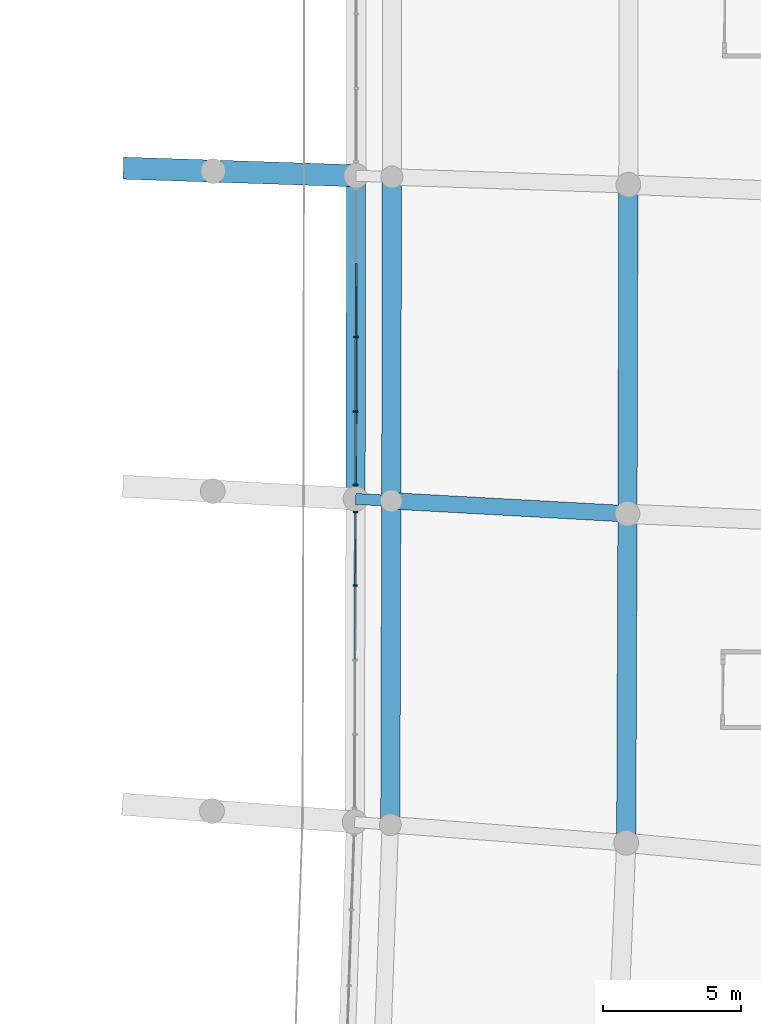
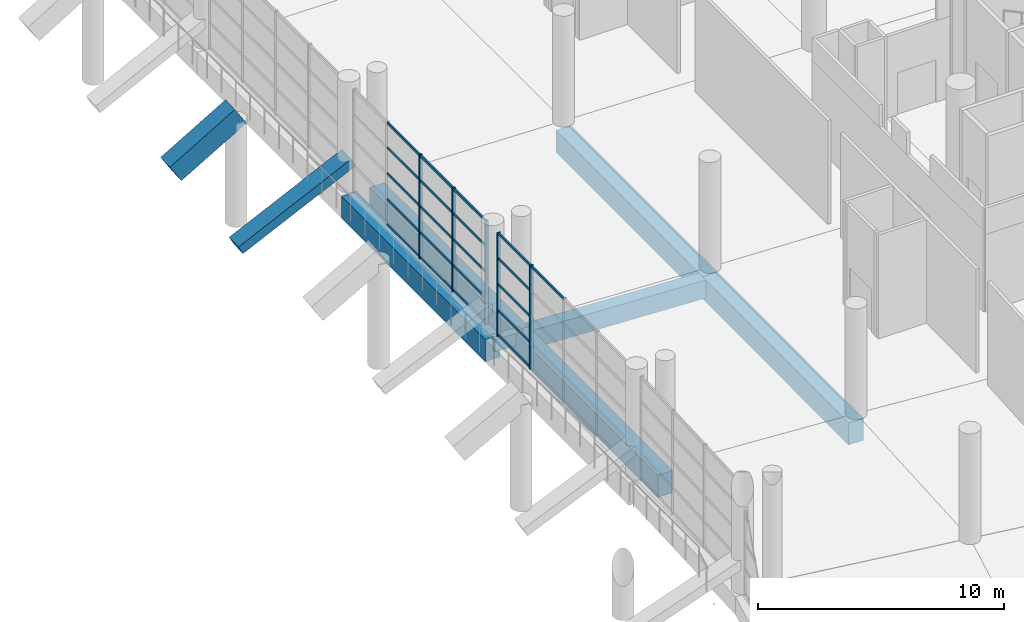
# One storey, part 55 of 271: 26 members, 9 beams, 2 elements without a shape of their own.
"""IFC4 building model written with IfcOpenShell, lengths in metres."""

from ifc_helpers import new_model, si_unit, direction, frame, origin, origin_2d, place, context, subcontext, project, spatial, rectangle, extrude, material, layer, layer_set, material_profile, profile_set, type_object, element, aggregate, save


model = new_model("IFC4")

# Units and contexts
model_context = context("Model", 3, precision=1e-05, world=origin(), true_north=direction((0.0, 1.0)))
body_context = subcontext(model_context, "Body", "Model", "MODEL_VIEW")
ifc_project = project(units=[si_unit("LENGTHUNIT", "METRE"), si_unit("AREAUNIT", "SQUARE_METRE"), si_unit("VOLUMEUNIT", "CUBIC_METRE"), si_unit("PLANEANGLEUNIT", "RADIAN"), si_unit("MASSUNIT", "GRAM", prefix="KILO")], contexts=[model_context])

# Site, building, storey
site_placement = place(None, origin())
site = spatial("IfcSite", under=ifc_project, at=site_placement, CompositionType="ELEMENT")
building_placement = place(site_placement, origin())
building = spatial("IfcBuilding", under=site, at=building_placement, Name="Meseta Stadium", CompositionType="ELEMENT")
storey_placement = place(building_placement, frame((0.0, 0.0, 6.5)))
storey = spatial("IfcBuildingStorey", under=building, at=storey_placement, Name="L01", CompositionType="ELEMENT", Elevation=6.5)

# Curtain wall, members
ifc_material_1 = material(Name="Aluminium", Category="aluminium")
ifc_layer = layer(ifc_material_1, 0.199951171875)
ifc_layer_set = layer_set([ifc_layer], Name="Club glazing curtain wall")
curtain_wall_type = type_object("IfcCurtainWallType", Name="Club glazing curtain wall", PredefinedType="NOTDEFINED", material=ifc_layer_set)
curtain_wall_1_placement = place(storey_placement, origin())
curtain_wall_1 = element("IfcCurtainWall", 1, at=curtain_wall_1_placement, inside=storey, type_object=curtain_wall_type, Name="Club glazing bay 01", PredefinedType="NOTDEFINED")
ifc_material_2 = material(Name="Aluminium", Category="aluminium")
ifc_material_profile_1 = material_profile(ifc_material_2, rectangle(XDim=0.159912109375, YDim=0.06005859375, at=origin_2d()), Name="CW 160x60")
ifc_profile_set_1 = profile_set([ifc_material_profile_1], Name="Aluminium")
member_type_1 = type_object("IfcMemberType", Name="CW mullion 60x160", PredefinedType="MULLION", material=ifc_profile_set_1)
member_1_placement = place(storey_placement, frame((63.557373046875, -32.51513671875, 0.0), z_axis=(0.0, 0.0, 1.0), x_axis=(-0.999996195715, 0.002758360998, 0.0)))
member_1 = element("IfcMember", 2, at=member_1_placement, type_object=member_type_1, Name="CWC mullion 4", PredefinedType="MULLION", context=body_context, shape_type="SweptSolid", body=[
    extrude(rectangle(XDim=0.159912109375, YDim=0.06005859375, at=origin_2d()), origin(), (0.0, 0.0, 1.0), 5.14990234375),
])
member_2_placement = place(storey_placement, frame((63.564697265625, -29.842041015625, 0.0), z_axis=(0.0, 0.0, 1.0), x_axis=(-0.999996195715, 0.002758360998, 0.0)))
member_2 = element("IfcMember", 3, at=member_2_placement, type_object=member_type_1, Name="CWC mullion 5", PredefinedType="MULLION", context=body_context, shape_type="SweptSolid", body=[
    extrude(rectangle(XDim=0.159912109375, YDim=0.06005859375, at=origin_2d()), origin(), (0.0, 0.0, 1.0), 5.14990234375),
])

curtain_wall_2_placement = place(storey_placement, origin())
curtain_wall_2 = element("IfcCurtainWall", 4, at=curtain_wall_2_placement, inside=storey, type_object=curtain_wall_type, Name="Club glazing bay 02", PredefinedType="NOTDEFINED")
member_3_placement = place(storey_placement, frame((63.567138671875, -28.8525390625, 0.0), z_axis=(0.0, 0.0, 1.0), x_axis=(-0.999998297516, 0.0018452545, 0.0)))
member_3 = element("IfcMember", 5, at=member_3_placement, type_object=member_type_1, Name="CWC mullion 1", PredefinedType="MULLION", context=body_context, shape_type="SweptSolid", body=[
    extrude(rectangle(XDim=0.159912109375, YDim=0.06005859375, at=origin_2d()), origin(), (0.0, 0.0, 1.0), 5.14990234375),
])
member_4_placement = place(storey_placement, frame((63.572021484375, -26.178955078125, 0.0), z_axis=(0.0, 0.0, 1.0), x_axis=(-0.999998297516, 0.0018452545, 0.0)))
member_4 = element("IfcMember", 6, at=member_4_placement, type_object=member_type_1, Name="CWC mullion 2", PredefinedType="MULLION", context=body_context, shape_type="SweptSolid", body=[
    extrude(rectangle(XDim=0.159912109375, YDim=0.06005859375, at=origin_2d()), origin(), (0.0, 0.0, 1.0), 5.14990234375),
])
member_5_placement = place(storey_placement, frame((63.576904296875, -23.475341796875, 0.0), z_axis=(0.0, 0.0, 1.0), x_axis=(-0.999998297516, 0.0018452545, 0.0)))
member_5 = element("IfcMember", 7, at=member_5_placement, type_object=member_type_1, Name="CWC mullion 3", PredefinedType="MULLION", context=body_context, shape_type="SweptSolid", body=[
    extrude(rectangle(XDim=0.159912109375, YDim=0.06005859375, at=origin_2d()), origin(), (0.0, 0.0, 1.0), 5.14990234375),
])

# Member
ifc_material_3 = material(Name="Aluminium", Category="aluminium")
ifc_material_profile_2 = material_profile(ifc_material_3, rectangle(XDim=0.06005859375, YDim=0.1201171875, at=origin_2d()), Name="CW 60x120")
ifc_profile_set_2 = profile_set([ifc_material_profile_2], Name="Aluminium")
member_type_2 = type_object("IfcMemberType", Name="CW transom 60x120", PredefinedType="USERDEFINED", material=ifc_profile_set_2)
member_6_placement = place(storey_placement, frame((63.550048828125, -35.188232421875, 5.090087890625), z_axis=(0.002771095956, 0.999996160506, 0.0), x_axis=(-0.999996160506, 0.002771095956, 0.0)))
member_6 = element("IfcMember", 8, at=member_6_placement, type_object=member_type_2, Name="CWC transom 3.5", ObjectType="TRANSOM", PredefinedType="USERDEFINED", context=body_context, shape_type="SweptSolid", body=[
    extrude(rectangle(XDim=0.06005859375, YDim=0.1201171875, at=origin_2d()), origin(), (0.0, 0.0, 1.0), 2.64306640625),
])

member_7_placement = place(storey_placement, frame((63.5576171875, -32.485107421875, 0.06005859375), z_axis=(0.002709510749, 0.999996329269, 0.0), x_axis=(-0.999996329269, 0.002709510749, 0.0)))
member_7 = element("IfcMember", 9, at=member_7_placement, type_object=member_type_2, Name="CWC transom 4.1", ObjectType="TRANSOM", PredefinedType="USERDEFINED", context=body_context, shape_type="SweptSolid", body=[
    extrude(rectangle(XDim=0.06005859375, YDim=0.1201171875, at=origin_2d()), origin(), (0.0, 0.0, 1.0), 2.613037109375),
])

member_8_placement = place(storey_placement, frame((63.5576171875, -32.485107421875, 1.28759765625), z_axis=(0.002709510749, 0.999996329269, 0.0), x_axis=(-0.999996329269, 0.002709510749, 0.0)))
member_8 = element("IfcMember", 10, at=member_8_placement, type_object=member_type_2, Name="CWC transom 4.2", ObjectType="TRANSOM", PredefinedType="USERDEFINED", context=body_context, shape_type="SweptSolid", body=[
    extrude(rectangle(XDim=0.06005859375, YDim=0.1201171875, at=origin_2d()), origin(), (0.0, 0.0, 1.0), 2.613037109375),
])

member_9_placement = place(storey_placement, frame((63.5576171875, -32.485107421875, 2.574951171875), z_axis=(0.002709510749, 0.999996329269, 0.0), x_axis=(-0.999996329269, 0.002709510749, 0.0)))
member_9 = element("IfcMember", 11, at=member_9_placement, type_object=member_type_2, Name="CWC transom 4.3", ObjectType="TRANSOM", PredefinedType="USERDEFINED", context=body_context, shape_type="SweptSolid", body=[
    extrude(rectangle(XDim=0.06005859375, YDim=0.1201171875, at=origin_2d()), origin(), (0.0, 0.0, 1.0), 2.613037109375),
])

member_10_placement = place(storey_placement, frame((63.5576171875, -32.485107421875, 3.862548828125), z_axis=(0.002709510749, 0.999996329269, 0.0), x_axis=(-0.999996329269, 0.002709510749, 0.0)))
member_10 = element("IfcMember", 12, at=member_10_placement, type_object=member_type_2, Name="CWC transom 4.4", ObjectType="TRANSOM", PredefinedType="USERDEFINED", context=body_context, shape_type="SweptSolid", body=[
    extrude(rectangle(XDim=0.06005859375, YDim=0.1201171875, at=origin_2d()), origin(), (0.0, 0.0, 1.0), 2.613037109375),
])

member_11_placement = place(storey_placement, frame((63.5576171875, -32.485107421875, 5.090087890625), z_axis=(0.002709510749, 0.999996329269, 0.0), x_axis=(-0.999996329269, 0.002709510749, 0.0)))
member_11 = element("IfcMember", 13, at=member_11_placement, type_object=member_type_2, Name="CWC transom 4.5", ObjectType="TRANSOM", PredefinedType="USERDEFINED", context=body_context, shape_type="SweptSolid", body=[
    extrude(rectangle(XDim=0.06005859375, YDim=0.1201171875, at=origin_2d()), origin(), (0.0, 0.0, 1.0), 2.613037109375),
])

aggregate(curtain_wall_1, [member_1, member_2, member_6, member_7, member_8, member_9, member_10, member_11])

member_12_placement = place(storey_placement, frame((63.567138671875, -28.822509765625, 0.06005859375), z_axis=(0.001868282587, 0.999998254759, 0.0), x_axis=(-0.999998254759, 0.001868282587, 0.0)))
member_12 = element("IfcMember", 14, at=member_12_placement, type_object=member_type_2, Name="CWC transom 1.1", ObjectType="TRANSOM", PredefinedType="USERDEFINED", context=body_context, shape_type="SweptSolid", body=[
    extrude(rectangle(XDim=0.06005859375, YDim=0.1201171875, at=origin_2d()), origin(), (0.0, 0.0, 1.0), 2.613525390625),
])

member_13_placement = place(storey_placement, frame((63.567138671875, -28.822509765625, 1.28759765625), z_axis=(0.001868282587, 0.999998254759, 0.0), x_axis=(-0.999998254759, 0.001868282587, 0.0)))
member_13 = element("IfcMember", 15, at=member_13_placement, type_object=member_type_2, Name="CWC transom 1.2", ObjectType="TRANSOM", PredefinedType="USERDEFINED", context=body_context, shape_type="SweptSolid", body=[
    extrude(rectangle(XDim=0.06005859375, YDim=0.1201171875, at=origin_2d()), origin(), (0.0, 0.0, 1.0), 2.613525390625),
])

member_14_placement = place(storey_placement, frame((63.567138671875, -28.822509765625, 2.574951171875), z_axis=(0.001868282587, 0.999998254759, 0.0), x_axis=(-0.999998254759, 0.001868282587, 0.0)))
member_14 = element("IfcMember", 16, at=member_14_placement, type_object=member_type_2, Name="CWC transom 1.3", ObjectType="TRANSOM", PredefinedType="USERDEFINED", context=body_context, shape_type="SweptSolid", body=[
    extrude(rectangle(XDim=0.06005859375, YDim=0.1201171875, at=origin_2d()), origin(), (0.0, 0.0, 1.0), 2.613525390625),
])

member_15_placement = place(storey_placement, frame((63.567138671875, -28.822509765625, 3.862548828125), z_axis=(0.001868282587, 0.999998254759, 0.0), x_axis=(-0.999998254759, 0.001868282587, 0.0)))
member_15 = element("IfcMember", 17, at=member_15_placement, type_object=member_type_2, Name="CWC transom 1.4", ObjectType="TRANSOM", PredefinedType="USERDEFINED", context=body_context, shape_type="SweptSolid", body=[
    extrude(rectangle(XDim=0.06005859375, YDim=0.1201171875, at=origin_2d()), origin(), (0.0, 0.0, 1.0), 2.613525390625),
])

member_16_placement = place(storey_placement, frame((63.567138671875, -28.822509765625, 5.090087890625), z_axis=(0.001868282587, 0.999998254759, 0.0), x_axis=(-0.999998254759, 0.001868282587, 0.0)))
member_16 = element("IfcMember", 18, at=member_16_placement, type_object=member_type_2, Name="CWC transom 1.5", ObjectType="TRANSOM", PredefinedType="USERDEFINED", context=body_context, shape_type="SweptSolid", body=[
    extrude(rectangle(XDim=0.06005859375, YDim=0.1201171875, at=origin_2d()), origin(), (0.0, 0.0, 1.0), 2.613525390625),
])

member_17_placement = place(storey_placement, frame((63.572021484375, -26.14892578125, 0.06005859375), z_axis=(0.001847060019, 0.999998294183, 0.0), x_axis=(-0.999998294183, 0.001847060019, 0.0)))
member_17 = element("IfcMember", 19, at=member_17_placement, type_object=member_type_2, Name="CWC transom 2.1", ObjectType="TRANSOM", PredefinedType="USERDEFINED", context=body_context, shape_type="SweptSolid", body=[
    extrude(rectangle(XDim=0.06005859375, YDim=0.1201171875, at=origin_2d()), origin(), (0.0, 0.0, 1.0), 2.6435546875),
])

member_18_placement = place(storey_placement, frame((63.572021484375, -26.14892578125, 1.28759765625), z_axis=(0.001847060019, 0.999998294183, 0.0), x_axis=(-0.999998294183, 0.001847060019, 0.0)))
member_18 = element("IfcMember", 20, at=member_18_placement, type_object=member_type_2, Name="CWC transom 2.2", ObjectType="TRANSOM", PredefinedType="USERDEFINED", context=body_context, shape_type="SweptSolid", body=[
    extrude(rectangle(XDim=0.06005859375, YDim=0.1201171875, at=origin_2d()), origin(), (0.0, 0.0, 1.0), 2.6435546875),
])

member_19_placement = place(storey_placement, frame((63.572021484375, -26.14892578125, 2.574951171875), z_axis=(0.001847060019, 0.999998294183, 0.0), x_axis=(-0.999998294183, 0.001847060019, 0.0)))
member_19 = element("IfcMember", 21, at=member_19_placement, type_object=member_type_2, Name="CWC transom 2.3", ObjectType="TRANSOM", PredefinedType="USERDEFINED", context=body_context, shape_type="SweptSolid", body=[
    extrude(rectangle(XDim=0.06005859375, YDim=0.1201171875, at=origin_2d()), origin(), (0.0, 0.0, 1.0), 2.6435546875),
])

member_20_placement = place(storey_placement, frame((63.572021484375, -26.14892578125, 3.862548828125), z_axis=(0.001847060019, 0.999998294183, 0.0), x_axis=(-0.999998294183, 0.001847060019, 0.0)))
member_20 = element("IfcMember", 22, at=member_20_placement, type_object=member_type_2, Name="CWC transom 2.4", ObjectType="TRANSOM", PredefinedType="USERDEFINED", context=body_context, shape_type="SweptSolid", body=[
    extrude(rectangle(XDim=0.06005859375, YDim=0.1201171875, at=origin_2d()), origin(), (0.0, 0.0, 1.0), 2.6435546875),
])

member_21_placement = place(storey_placement, frame((63.572021484375, -26.14892578125, 5.090087890625), z_axis=(0.001847060019, 0.999998294183, 0.0), x_axis=(-0.999998294183, 0.001847060019, 0.0)))
member_21 = element("IfcMember", 23, at=member_21_placement, type_object=member_type_2, Name="CWC transom 2.5", ObjectType="TRANSOM", PredefinedType="USERDEFINED", context=body_context, shape_type="SweptSolid", body=[
    extrude(rectangle(XDim=0.06005859375, YDim=0.1201171875, at=origin_2d()), origin(), (0.0, 0.0, 1.0), 2.6435546875),
])

member_22_placement = place(storey_placement, frame((63.5771484375, -23.4453125, 0.06005859375), z_axis=(0.001754545272, 0.999998460784, 0.0), x_axis=(-0.999998460784, 0.001754545272, 0.0)))
member_22 = element("IfcMember", 24, at=member_22_placement, type_object=member_type_2, Name="CWC transom 3.1", ObjectType="TRANSOM", PredefinedType="USERDEFINED", context=body_context, shape_type="SweptSolid", body=[
    extrude(rectangle(XDim=0.06005859375, YDim=0.1201171875, at=origin_2d()), origin(), (0.0, 0.0, 1.0), 2.643798828125),
])

member_23_placement = place(storey_placement, frame((63.5771484375, -23.4453125, 1.28759765625), z_axis=(0.001754545272, 0.999998460784, 0.0), x_axis=(-0.999998460784, 0.001754545272, 0.0)))
member_23 = element("IfcMember", 25, at=member_23_placement, type_object=member_type_2, Name="CWC transom 3.2", ObjectType="TRANSOM", PredefinedType="USERDEFINED", context=body_context, shape_type="SweptSolid", body=[
    extrude(rectangle(XDim=0.06005859375, YDim=0.1201171875, at=origin_2d()), origin(), (0.0, 0.0, 1.0), 2.643798828125),
])

member_24_placement = place(storey_placement, frame((63.5771484375, -23.4453125, 2.574951171875), z_axis=(0.001754545272, 0.999998460784, 0.0), x_axis=(-0.999998460784, 0.001754545272, 0.0)))
member_24 = element("IfcMember", 26, at=member_24_placement, type_object=member_type_2, Name="CWC transom 3.3", ObjectType="TRANSOM", PredefinedType="USERDEFINED", context=body_context, shape_type="SweptSolid", body=[
    extrude(rectangle(XDim=0.06005859375, YDim=0.1201171875, at=origin_2d()), origin(), (0.0, 0.0, 1.0), 2.643798828125),
])

member_25_placement = place(storey_placement, frame((63.5771484375, -23.4453125, 3.862548828125), z_axis=(0.001754545272, 0.999998460784, 0.0), x_axis=(-0.999998460784, 0.001754545272, 0.0)))
member_25 = element("IfcMember", 27, at=member_25_placement, type_object=member_type_2, Name="CWC transom 3.4", ObjectType="TRANSOM", PredefinedType="USERDEFINED", context=body_context, shape_type="SweptSolid", body=[
    extrude(rectangle(XDim=0.06005859375, YDim=0.1201171875, at=origin_2d()), origin(), (0.0, 0.0, 1.0), 2.643798828125),
])

member_26_placement = place(storey_placement, frame((63.5771484375, -23.4453125, 5.090087890625), z_axis=(0.001754545272, 0.999998460784, 0.0), x_axis=(-0.999998460784, 0.001754545272, 0.0)))
member_26 = element("IfcMember", 28, at=member_26_placement, type_object=member_type_2, Name="CWC transom 3.5", ObjectType="TRANSOM", PredefinedType="USERDEFINED", context=body_context, shape_type="SweptSolid", body=[
    extrude(rectangle(XDim=0.06005859375, YDim=0.1201171875, at=origin_2d()), origin(), (0.0, 0.0, 1.0), 2.643798828125),
])

aggregate(curtain_wall_2, [member_3, member_4, member_5, member_12, member_13, member_14, member_15, member_16, member_17, member_18, member_19, member_20, member_21, member_22, member_23, member_24, member_25, member_26])

# Beams
ifc_material_4 = material(Name="Concrete C40/50", Category="concrete")
ifc_material_profile_3 = material_profile(ifc_material_4, rectangle(XDim=0.39990234375, YDim=0.60009765625, at=origin_2d()), Name="RC 400x600")
ifc_profile_set_3 = profile_set([ifc_material_profile_3], Name="Concrete C40/50")
beam_type_1 = type_object("IfcBeamType", Name="RC beam 400x600", PredefinedType="BEAM", material=ifc_profile_set_3)
beam_1_placement = place(storey_placement, frame((63.566162109375, -29.3623046875, -0.64990234375), z_axis=(0.998505663725, -0.054648325775, 0.0), x_axis=(0.054648325775, 0.998505663725, 0.0)))
element("IfcBeam", 29, at=beam_1_placement, inside=storey, type_object=beam_type_1, Name="L01 radial beam frame 2 line C to D", PredefinedType="BEAM", context=body_context, shape_type="SweptSolid", body=[
    extrude(rectangle(XDim=0.39990234375, YDim=0.60009765625, at=origin_2d()), origin(), (0.0, 0.0, 1.0), 1.300048828125),
])
ifc_material_5 = material(Name="Concrete C40/50", Category="concrete")
ifc_material_profile_4 = material_profile(ifc_material_5, rectangle(XDim=0.60009765625, YDim=0.89990234375, at=origin_2d()), Name="RC 600x900")
ifc_profile_set_4 = profile_set([ifc_material_profile_4], Name="Concrete C40/50")
beam_type_2 = type_object("IfcBeamType", Name="RC beam 600x900", PredefinedType="BEAM", material=ifc_profile_set_4)
beam_2_placement = place(storey_placement, frame((64.8642578125, -29.433349609375, -0.800048828125), z_axis=(0.998501047384, -0.054732607948, 0.0), x_axis=(0.054732607948, 0.998501047384, 0.0)))
element("IfcBeam", 30, at=beam_2_placement, inside=storey, type_object=beam_type_2, Name="L01 radial beam frame 2 line D to E", PredefinedType="BEAM", context=body_context, shape_type="SweptSolid", body=[
    extrude(rectangle(XDim=0.60009765625, YDim=0.89990234375, at=origin_2d()), origin(), (0.0, 0.0, 1.0), 8.60009765625),
])
ifc_material_6 = material(Name="Concrete C40/50", Category="concrete")
ifc_material_profile_5 = material_profile(ifc_material_6, rectangle(XDim=0.699951171875, YDim=1.10009765625, at=origin_2d()), Name="RC 700x1100")
ifc_profile_set_5 = profile_set([ifc_material_profile_5], Name="Concrete C40/50")
beam_type_3 = type_object("IfcBeamType", Name="RC beam 700x1100", PredefinedType="BEAM", material=ifc_profile_set_5)
beam_3_placement = place(storey_placement, frame((64.829833984375, -41.2041015625, -0.89990234375), z_axis=(0.002924509925, 0.999995723612, 0.0), x_axis=(-0.999995723612, 0.002924509925, 0.0)))
element("IfcBeam", 31, at=beam_3_placement, inside=storey, type_object=beam_type_3, Name="L01 ring beam frame 1 line D", PredefinedType="BEAM", context=body_context, shape_type="SweptSolid", body=[
    extrude(rectangle(XDim=0.699951171875, YDim=1.10009765625, at=origin_2d()), origin(), (0.0, 0.0, 1.0), 11.770751953125),
])
beam_4_placement = place(storey_placement, frame((73.40478515625, -41.8623046875, -0.89990234375), z_axis=(0.003899441576, 0.999992397149, 0.0), x_axis=(-0.999992397149, 0.003899441576, 0.0)))
element("IfcBeam", 32, at=beam_4_placement, inside=storey, type_object=beam_type_3, Name="L01 ring beam frame 1 line E", PredefinedType="BEAM", context=body_context, shape_type="SweptSolid", body=[
    extrude(rectangle(XDim=0.699951171875, YDim=1.10009765625, at=origin_2d()), origin(), (0.0, 0.0, 1.0), 11.958251953125),
])
beam_5_placement = place(storey_placement, frame((63.566162109375, -29.3623046875, -0.89990234375), z_axis=(0.001850116364, 0.999998288533, 0.0), x_axis=(-0.999998288533, 0.001850116364, 0.0)))
element("IfcBeam", 33, at=beam_5_placement, inside=storey, type_object=beam_type_3, Name="L01 ring beam frame 2 line C", PredefinedType="BEAM", context=body_context, shape_type="SweptSolid", body=[
    extrude(rectangle(XDim=0.699951171875, YDim=1.10009765625, at=origin_2d()), origin(), (0.0, 0.0, 1.0), 11.744384765625),
])
beam_6_placement = place(storey_placement, frame((64.8642578125, -29.433349609375, -0.89990234375), z_axis=(0.001949394886, 0.999998099928, 0.0), x_axis=(-0.999998099928, 0.001949394886, 0.0)))
element("IfcBeam", 34, at=beam_6_placement, inside=storey, type_object=beam_type_3, Name="L01 ring beam frame 2 line D", PredefinedType="BEAM", context=body_context, shape_type="SweptSolid", body=[
    extrude(rectangle(XDim=0.699951171875, YDim=1.10009765625, at=origin_2d()), origin(), (0.0, 0.0, 1.0), 11.7724609375),
])
beam_7_placement = place(storey_placement, frame((73.451416015625, -29.904052734375, -0.89990234375), z_axis=(0.002592357078, 0.999996639837, 0.0), x_axis=(-0.999996639837, 0.002592357078, 0.0)))
element("IfcBeam", 35, at=beam_7_placement, inside=storey, type_object=beam_type_3, Name="L01 ring beam frame 2 line E", PredefinedType="BEAM", context=body_context, shape_type="SweptSolid", body=[
    extrude(rectangle(XDim=0.699951171875, YDim=1.10009765625, at=origin_2d()), origin(), (0.0, 0.0, 1.0), 11.96044921875),
])
ifc_material_7 = material(Name="Concrete C40/50", Category="concrete")
ifc_material_profile_6 = material_profile(ifc_material_7, rectangle(XDim=0.800048828125, YDim=0.449951171875, at=origin_2d()), Name="RC 800x450")
ifc_profile_set_6 = profile_set([ifc_material_profile_6], Name="Concrete C40/50")
beam_type_4 = type_object("IfcBeamType", Name="RC raker lower 800x450", PredefinedType="USERDEFINED", material=ifc_profile_set_6)
beam_8_placement = place(storey_placement, frame((58.390625, -17.447021484375, -1.208984375), z_axis=(0.890383809502, -0.02927793436, 0.454268064403), x_axis=(0.032864612406, 0.999459812725, 0.0)))
element("IfcBeam", 36, at=beam_8_placement, inside=storey, type_object=beam_type_4, Name="Raker lower frame 3 lower tier", ObjectType="RAKER", PredefinedType="USERDEFINED", context=body_context, shape_type="SweptSolid", body=[
    extrude(rectangle(XDim=0.800048828125, YDim=0.449951171875, at=origin_2d()), origin(), (0.0, 0.0, 1.0), 5.837158203125),
])
ifc_material_8 = material(Name="Concrete C40/50", Category="concrete")
ifc_material_profile_7 = material_profile(ifc_material_8, rectangle(XDim=0.800048828125, YDim=1.0, at=origin_2d()), Name="RC 800x1000")
ifc_profile_set_7 = profile_set([ifc_material_profile_7], Name="Concrete C40/50")
beam_type_5 = type_object("IfcBeamType", Name="RC raker upper front 800x1000", PredefinedType="USERDEFINED", material=ifc_profile_set_7)
beam_9_placement = place(storey_placement, frame((55.39208984375, -17.348388671875, 3.57470703125), z_axis=(0.847552363453, -0.02787910396, 0.529979005969), x_axis=(0.032875884593, 0.999459442005, 0.0)))
element("IfcBeam", 37, at=beam_9_placement, inside=storey, type_object=beam_type_5, Name="Raker upper front frame 3 upper tier", ObjectType="RAKER", PredefinedType="USERDEFINED", context=body_context, shape_type="SweptSolid", body=[
    extrude(rectangle(XDim=0.800048828125, YDim=1.0, at=origin_2d()), origin(), (0.0, 0.0, 1.0), 3.537841796875),
])

save(model, "model.ifc")
